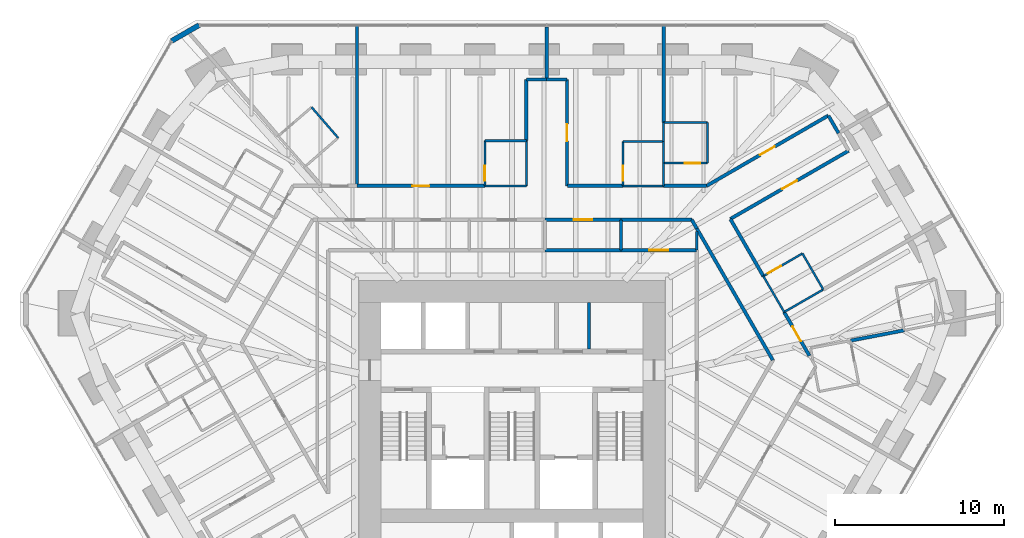
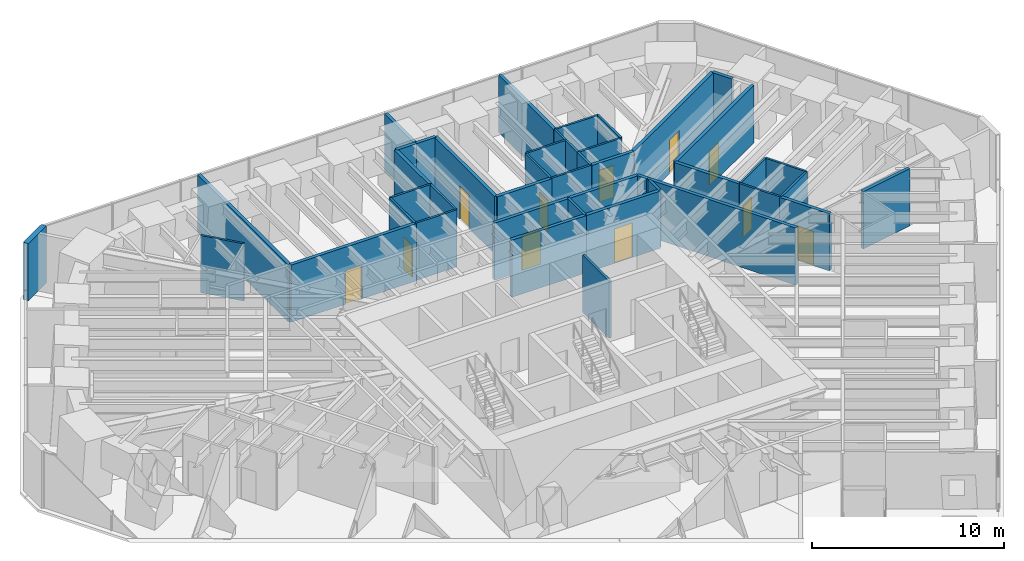
# One storey, part 15 of 17: 44 walls, 11 doors, 11 openings.
"""IFC4 building model written with IfcOpenShell, lengths in metres."""

from ifc_helpers import new_model, si_unit, direction, frame, frame_2d, origin, place, context, subcontext, project, spatial, rectangle, extrude, material, layer, layer_set, type_object, element, fill, save


model = new_model("IFC4")

# Units and contexts
model_context = context("Model", 3, precision=1e-05, world=origin(), true_north=direction((0.0, 1.0)))
body_context = subcontext(model_context, "Body", "Model", "MODEL_VIEW")
ifc_project = project(units=[si_unit("LENGTHUNIT", "METRE"), si_unit("AREAUNIT", "SQUARE_METRE"), si_unit("VOLUMEUNIT", "CUBIC_METRE"), si_unit("PLANEANGLEUNIT", "RADIAN"), si_unit("MASSUNIT", "GRAM", prefix="KILO")], contexts=[model_context])

# Site, building, storey
site_placement = place(None, origin())
site = spatial("IfcSite", under=ifc_project, at=site_placement, CompositionType="ELEMENT")
building_placement = place(site_placement, origin())
building = spatial("IfcBuilding", under=site, at=building_placement, Name="Sandreach Pilgrim Tower", CompositionType="ELEMENT")
storey_placement = place(building_placement, frame((0.0, 0.0, 165.199951171875)))
storey = spatial("IfcBuildingStorey", under=building, at=storey_placement, Name="L41", CompositionType="ELEMENT", Elevation=165.199951171875)

# Walls
ifc_material_1 = material(Name="Gypsum board on steel studs", Category="steel")
ifc_layer_1 = layer(ifc_material_1, 0.14990234375)
ifc_layer_set_1 = layer_set([ifc_layer_1], Name="Back of house wall 150")
wall_type_1 = type_object("IfcWallType", Name="Back of house wall 150", PredefinedType="PARTITIONING", material=ifc_layer_set_1)
wall_1_placement = place(storey_placement, frame((6.43994140625, 10.989990234375, 0.0), z_axis=(0.0, 0.0, 1.0), x_axis=(0.0, -1.0, 0.0)))
element("IfcWall", 1, at=wall_1_placement, inside=storey, type_object=wall_type_1, Name="Back of house wall L41-115", PredefinedType="PARTITIONING", context=body_context, shape_type="SweptSolid", body=[
    extrude(rectangle(XDim=1.7900390625, YDim=0.14990234375, at=frame_2d((0.89501953125, 0.0))), origin(), (0.0, 0.0, 1.0), 3.64013671875),
])
wall_2_placement = place(storey_placement, frame((10.919921875, 10.31005859375, 0.0), z_axis=(0.0, 0.0, 1.0), x_axis=(0.0, -1.0, 0.0)))
element("IfcWall", 2, at=wall_2_placement, inside=storey, type_object=wall_type_1, Name="Back of house wall L41-140", PredefinedType="PARTITIONING", context=body_context, shape_type="SweptSolid", body=[
    extrude(rectangle(XDim=1.110107421875, YDim=0.14990234375, at=frame_2d((0.55517578125, 0.0))), origin(), (0.0, 0.0, 1.0), 3.64013671875),
])
wall_3_placement = place(storey_placement, frame((4.550048828125, 3.35009765625, 0.0), z_axis=(0.0, 0.0, 1.0), x_axis=(0.0, 1.0, 0.0)))
element("IfcWall", 3, at=wall_3_placement, inside=storey, type_object=wall_type_1, Name="Core room partition L41 2", PredefinedType="PARTITIONING", context=body_context, shape_type="SweptSolid", body=[
    extrude(rectangle(XDim=2.75, YDim=0.14990234375, at=frame_2d((1.375, 0.0))), origin(), (0.0, 0.0, 1.0), 3.64013671875),
])
ifc_material_2 = material(Name="Moisture-resistant gypsum board on steel studs", Category="steel")
ifc_layer_2 = layer(ifc_material_2, 0.1201171875)
ifc_layer_set_2 = layer_set([ifc_layer_2], Name="Bathroom partition 120")
wall_type_2 = type_object("IfcWallType", Name="Bathroom partition 120", PredefinedType="PARTITIONING", material=ifc_layer_set_2)
wall_4_placement = place(storey_placement, frame((-10.27001953125, 15.830078125, 0.0), z_axis=(0.0, 0.0, 1.0), x_axis=(-0.655302876176, 0.755366229372, 0.0)))
element("IfcWall", 4, at=wall_4_placement, inside=storey, type_object=wall_type_2, Name="Bathroom partition L41-055", PredefinedType="PARTITIONING", context=body_context, shape_type="SweptSolid", body=[
    extrude(rectangle(XDim=2.39599609375, YDim=0.1201171875, at=frame_2d((1.197998046875, 0.0))), origin(), (0.0, 0.0, 1.0), 3.64013671875),
])

# Wall, opening, door
wall_5_placement = place(storey_placement, frame((-1.60009765625, 15.659912109375, 0.0), z_axis=(0.0, 0.0, 1.0), x_axis=(0.0, -1.0, 0.0)))
wall_5 = element("IfcWall", 5, at=wall_5_placement, inside=storey, type_object=wall_type_2, Name="Bathroom partition L41-088", PredefinedType="PARTITIONING", context=body_context, shape_type="SweptSolid", body=[
    extrude(rectangle(XDim=2.669921875, YDim=0.1201171875, at=frame_2d((1.3349609375, 0.0))), origin(), (0.0, 0.0, 1.0), 3.64013671875),
])
opening_1_placement = place(wall_5_placement, frame((1.469970703125, 0.0, 0.0)))
opening_1 = element("IfcOpeningElement", 6, at=opening_1_placement, cuts=wall_5, Name="Opening D09-02B", PredefinedType="OPENING", context=body_context, shape_type="SweptSolid", body=[
    extrude(rectangle(XDim=0.89990234375, YDim=2.030029296875, at=frame_2d((0.449951171875, 1.01513671875))), frame((0.0, 0.06005859375, 0.0), z_axis=(0.0, -1.0, 0.0), x_axis=(1.0, 0.0, 0.0)), (0.0, 0.0, 1.0), 0.1201171875),
])
ifc_material_3 = material(Name="Timber door, steel frame", Category="steel")
door_type_1 = type_object("IfcDoorType", Name="Bathroom door", OperationType="SINGLE_SWING_LEFT", PredefinedType="DOOR", material=ifc_material_3)
door_1_placement = place(opening_1_placement, origin())
door_1 = element("IfcDoor", 7, at=door_1_placement, inside=storey, type_object=door_type_1, Name="Door 4102B", OperationType="SINGLE_SWING_RIGHT", OverallHeight=2.030029296875, OverallWidth=0.89990234375, PredefinedType="DOOR", context=body_context, shape_type="SweptSolid", body=[
    extrude(rectangle(XDim=0.89990234375, YDim=2.030029296875, at=frame_2d((0.449951171875, 1.01513671875))), frame((0.0, 0.02490234375, 0.0), z_axis=(0.0, -1.0, 0.0), x_axis=(1.0, 0.0, 0.0)), (0.0, 0.0, 1.0), 0.050048828125),
])
fill(opening_1, door_1)

# Walls
for number, where, z_axis, x_axis, name in (
    (8, (0.85009765625, 12.989990234375, 0.0), (0.0, 0.0, 1.0), (-1.0, 0.0, 0.0), "Bathroom partition L41-092"),
    (9, (0.85009765625, 15.659912109375, 0.0), (0.0, 0.0, 1.0), (-1.0, 0.0, 0.0), "Bathroom partition L41-093"),
):
    element("IfcWall", number, at=place(storey_placement, frame(where, z_axis=z_axis, x_axis=x_axis)), inside=storey, type_object=wall_type_2, Name=name, PredefinedType="PARTITIONING", context=body_context, shape_type="SweptSolid", body=[
        extrude(rectangle(XDim=2.4501953125, YDim=0.1201171875, at=frame_2d((1.22509765625, 0.0))), origin(), (0.0, 0.0, 1.0), 3.64013671875),
    ])
wall_6_placement = place(storey_placement, frame((0.85009765625, 15.659912109375, 0.0), z_axis=(0.0, 0.0, 1.0), x_axis=(0.0, -1.0, 0.0)))
element("IfcWall", 10, at=wall_6_placement, inside=storey, type_object=wall_type_2, Name="Bathroom partition L41-094", PredefinedType="PARTITIONING", context=body_context, shape_type="SweptSolid", body=[
    extrude(rectangle(XDim=2.669921875, YDim=0.1201171875, at=frame_2d((1.3349609375, 0.0))), origin(), (0.0, 0.0, 1.0), 3.64013671875),
])

# Wall, opening, door
wall_7_placement = place(storey_placement, frame((6.56005859375, 15.610107421875, 0.0), z_axis=(0.0, 0.0, 1.0), x_axis=(0.0, -1.0, 0.0)))
wall_7 = element("IfcWall", 11, at=wall_7_placement, inside=storey, type_object=wall_type_2, Name="Bathroom partition L41-118", PredefinedType="PARTITIONING", context=body_context, shape_type="SweptSolid", body=[
    extrude(rectangle(XDim=2.6201171875, YDim=0.1201171875, at=frame_2d((1.31005859375, 0.0))), origin(), (0.0, 0.0, 1.0), 3.64013671875),
])
opening_2_placement = place(wall_7_placement, frame((1.419921875, 0.0, 0.0)))
opening_2 = element("IfcOpeningElement", 12, at=opening_2_placement, cuts=wall_7, Name="Opening D09-03B", PredefinedType="OPENING", context=body_context, shape_type="SweptSolid", body=[
    extrude(rectangle(XDim=0.89990234375, YDim=2.030029296875, at=frame_2d((0.449951171875, 1.01513671875))), frame((0.0, 0.06005859375, 0.0), z_axis=(0.0, -1.0, 0.0), x_axis=(1.0, 0.0, 0.0)), (0.0, 0.0, 1.0), 0.1201171875),
])
door_2_placement = place(opening_2_placement, origin())
door_2 = element("IfcDoor", 13, at=door_2_placement, inside=storey, type_object=door_type_1, Name="Door 4103B", OperationType="SINGLE_SWING_RIGHT", OverallHeight=2.030029296875, OverallWidth=0.89990234375, PredefinedType="DOOR", context=body_context, shape_type="SweptSolid", body=[
    extrude(rectangle(XDim=0.89990234375, YDim=2.030029296875, at=frame_2d((0.449951171875, 1.01513671875))), frame((0.0, 0.02490234375, 0.0), z_axis=(0.0, -1.0, 0.0), x_axis=(1.0, 0.0, 0.0)), (0.0, 0.0, 1.0), 0.050048828125),
])
fill(opening_2, door_2)

# Walls
wall_8_placement = place(storey_placement, frame((8.9599609375, 12.989990234375, 0.0), z_axis=(0.0, 0.0, 1.0), x_axis=(-1.0, 0.0, 0.0)))
element("IfcWall", 14, at=wall_8_placement, inside=storey, type_object=wall_type_2, Name="Bathroom partition L41-126", PredefinedType="PARTITIONING", context=body_context, shape_type="SweptSolid", body=[
    extrude(rectangle(XDim=2.39990234375, YDim=0.1201171875, at=frame_2d((1.199951171875, 0.0))), origin(), (0.0, 0.0, 1.0), 3.64013671875),
])
wall_9_placement = place(storey_placement, frame((8.9599609375, 14.340087890625, 0.0), z_axis=(0.0, 0.0, 1.0), x_axis=(0.0, -1.0, 0.0)))
element("IfcWall", 15, at=wall_9_placement, inside=storey, type_object=wall_type_2, Name="Bathroom partition L41-127", PredefinedType="PARTITIONING", context=body_context, shape_type="SweptSolid", body=[
    extrude(rectangle(XDim=1.35009765625, YDim=0.1201171875, at=frame_2d((0.675048828125, 0.0))), origin(), (0.0, 0.0, 1.0), 3.64013671875),
])

# Wall, opening, door
wall_10_placement = place(storey_placement, frame((8.9599609375, 14.340087890625, 0.0), z_axis=(0.0, 0.0, 1.0), x_axis=(1.0, 0.0, 0.0)))
wall_10 = element("IfcWall", 16, at=wall_10_placement, inside=storey, type_object=wall_type_2, Name="Bathroom partition L41-128", PredefinedType="PARTITIONING", context=body_context, shape_type="SweptSolid", body=[
    extrude(rectangle(XDim=2.60009765625, YDim=0.1201171875, at=frame_2d((1.300048828125, 0.0))), origin(), (0.0, 0.0, 1.0), 3.64013671875),
])
opening_3_placement = place(wall_10_placement, frame((1.25, 0.0, 0.0)))
opening_3 = element("IfcOpeningElement", 17, at=opening_3_placement, cuts=wall_10, Name="Opening D09-04B", PredefinedType="OPENING", context=body_context, shape_type="SweptSolid", body=[
    extrude(rectangle(XDim=0.89990234375, YDim=2.030029296875, at=frame_2d((0.449951171875, 1.01513671875))), frame((0.0, 0.06005859375, 0.0), z_axis=(0.0, -1.0, 0.0), x_axis=(1.0, 0.0, 0.0)), (0.0, 0.0, 1.0), 0.1201171875),
])
door_3_placement = place(opening_3_placement, origin())
door_3 = element("IfcDoor", 18, at=door_3_placement, inside=storey, type_object=door_type_1, Name="Door 4104B", OperationType="SINGLE_SWING_RIGHT", OverallHeight=2.030029296875, OverallWidth=0.89990234375, PredefinedType="DOOR", context=body_context, shape_type="SweptSolid", body=[
    extrude(rectangle(XDim=0.89990234375, YDim=2.030029296875, at=frame_2d((0.449951171875, 1.01513671875))), frame((0.0, 0.02490234375, 0.0), z_axis=(0.0, -1.0, 0.0), x_axis=(1.0, 0.0, 0.0)), (0.0, 0.0, 1.0), 0.050048828125),
])
fill(opening_3, door_3)

# Walls
wall_11_placement = place(storey_placement, frame((8.9599609375, 15.610107421875, 0.0), z_axis=(0.0, 0.0, 1.0), x_axis=(-1.0, 0.0, 0.0)))
element("IfcWall", 19, at=wall_11_placement, inside=storey, type_object=wall_type_2, Name="Bathroom partition L41-129", PredefinedType="PARTITIONING", context=body_context, shape_type="SweptSolid", body=[
    extrude(rectangle(XDim=2.39990234375, YDim=0.1201171875, at=frame_2d((1.199951171875, 0.0))), origin(), (0.0, 0.0, 1.0), 3.64013671875),
])
wall_12_placement = place(storey_placement, frame((8.9599609375, 15.610107421875, 0.0), z_axis=(0.0, 0.0, 1.0), x_axis=(0.0, -1.0, 0.0)))
element("IfcWall", 20, at=wall_12_placement, inside=storey, type_object=wall_type_2, Name="Bathroom partition L41-130", PredefinedType="PARTITIONING", context=body_context, shape_type="SweptSolid", body=[
    extrude(rectangle(XDim=1.27001953125, YDim=0.1201171875, at=frame_2d((0.635009765625, 0.0))), origin(), (0.0, 0.0, 1.0), 3.64013671875),
])
wall_13_placement = place(storey_placement, frame((8.9599609375, 16.739990234375, 0.0), z_axis=(0.0, 0.0, 1.0), x_axis=(0.0, -1.0, 0.0)))
element("IfcWall", 21, at=wall_13_placement, inside=storey, type_object=wall_type_2, Name="Bathroom partition L41-131", PredefinedType="PARTITIONING", context=body_context, shape_type="SweptSolid", body=[
    extrude(rectangle(XDim=1.1298828125, YDim=0.1201171875, at=frame_2d((0.56494140625, 0.0))), origin(), (0.0, 0.0, 1.0), 3.64013671875),
])
wall_14_placement = place(storey_placement, frame((11.56005859375, 14.340087890625, 0.0), z_axis=(0.0, 0.0, 1.0), x_axis=(0.0, 1.0, 0.0)))
element("IfcWall", 22, at=wall_14_placement, inside=storey, type_object=wall_type_2, Name="Bathroom partition L41-143", PredefinedType="PARTITIONING", context=body_context, shape_type="SweptSolid", body=[
    extrude(rectangle(XDim=2.39990234375, YDim=0.1201171875, at=frame_2d((1.199951171875, 0.0))), origin(), (0.0, 0.0, 1.0), 3.64013671875),
])
wall_15_placement = place(storey_placement, frame((11.56005859375, 16.739990234375, 0.0), z_axis=(0.0, 0.0, 1.0), x_axis=(-1.0, 0.0, 0.0)))
element("IfcWall", 23, at=wall_15_placement, inside=storey, type_object=wall_type_2, Name="Bathroom partition L41-144", PredefinedType="PARTITIONING", context=body_context, shape_type="SweptSolid", body=[
    extrude(rectangle(XDim=2.60009765625, YDim=0.1201171875, at=frame_2d((1.300048828125, 0.0))), origin(), (0.0, 0.0, 1.0), 3.64013671875),
])
wall_16_placement = place(storey_placement, frame((14.85009765625, 7.659912109375, 0.0), z_axis=(0.0, 0.0, 1.0), x_axis=(0.501856726365, -0.86495076519, 0.0)))
element("IfcWall", 24, at=wall_16_placement, inside=storey, type_object=wall_type_2, Name="Bathroom partition L41-152", PredefinedType="PARTITIONING", context=body_context, shape_type="SweptSolid", body=[
    extrude(rectangle(XDim=2.450927734375, YDim=0.1201171875, at=frame_2d((1.2255859375, 0.0))), origin(), (0.0, 0.0, 1.0), 3.64013671875),
])
wall_17_placement = place(storey_placement, frame((16.080078125, 5.5400390625, 0.0), z_axis=(0.0, 0.0, 1.0), x_axis=(0.86663205897, 0.498947767172, 0.0)))
element("IfcWall", 25, at=wall_17_placement, inside=storey, type_object=wall_type_2, Name="Bathroom partition L41-158", PredefinedType="PARTITIONING", context=body_context, shape_type="SweptSolid", body=[
    extrude(rectangle(XDim=2.665283203125, YDim=0.1201171875, at=frame_2d((1.33251953125, 0.0))), origin(), (0.0, 0.0, 1.0), 3.64013671875),
])

# Wall, opening, door
wall_18_placement = place(storey_placement, frame((17.159912109375, 9.0, 0.0), z_axis=(0.0, 0.0, 1.0), x_axis=(-0.864966903181, -0.501828911485, 0.0)))
wall_18 = element("IfcWall", 26, at=wall_18_placement, inside=storey, type_object=wall_type_2, Name="Bathroom partition L41-160", PredefinedType="PARTITIONING", context=body_context, shape_type="SweptSolid", body=[
    extrude(rectangle(XDim=2.67041015625, YDim=0.1201171875, at=frame_2d((1.335205078125, 0.0))), origin(), (0.0, 0.0, 1.0), 3.64013671875),
])
opening_4_placement = place(wall_18_placement, frame((1.470458984375, 0.0, 0.0)))
opening_4 = element("IfcOpeningElement", 27, at=opening_4_placement, cuts=wall_18, Name="Opening D09-05B", PredefinedType="OPENING", context=body_context, shape_type="SweptSolid", body=[
    extrude(rectangle(XDim=0.89990234375, YDim=2.030029296875, at=frame_2d((0.449951171875, 1.01513671875))), frame((0.0, 0.06005859375, 0.0), z_axis=(0.0, -1.0, 0.0), x_axis=(1.0, 0.0, 0.0)), (0.0, 0.0, 1.0), 0.1201171875),
])
door_4_placement = place(opening_4_placement, origin())
door_4 = element("IfcDoor", 28, at=door_4_placement, inside=storey, type_object=door_type_1, Name="Door 4105B", OperationType="SINGLE_SWING_RIGHT", OverallHeight=2.030029296875, OverallWidth=0.89990234375, PredefinedType="DOOR", context=body_context, shape_type="SweptSolid", body=[
    extrude(rectangle(XDim=0.89990234375, YDim=2.030029296875, at=frame_2d((0.449951171875, 1.01513671875))), frame((0.0, 0.02490234375, 0.0), z_axis=(0.0, -1.0, 0.0), x_axis=(1.0, 0.0, 0.0)), (0.0, 0.0, 1.0), 0.050048828125),
])
fill(opening_4, door_4)

# Wall
wall_19_placement = place(storey_placement, frame((18.389892578125, 6.8701171875, 0.0), z_axis=(0.0, 0.0, 1.0), x_axis=(-0.500089055364, 0.86597398154, 0.0)))
element("IfcWall", 29, at=wall_19_placement, inside=storey, type_object=wall_type_2, Name="Bathroom partition L41-168", PredefinedType="PARTITIONING", context=body_context, shape_type="SweptSolid", body=[
    extrude(rectangle(XDim=2.45947265625, YDim=0.1201171875, at=frame_2d((1.229736328125, 0.0))), origin(), (0.0, 0.0, 1.0), 3.64013671875),
])

# Wall, opening, door
ifc_material_4 = material(Name="Gypsum board on steel studs, two layers each side", Category="steel")
ifc_layer_3 = layer(ifc_material_4, 0.199951171875)
ifc_layer_set_3 = layer_set([ifc_layer_3], Name="Corridor wall 200")
wall_type_3 = type_object("IfcWallType", Name="Corridor wall 200", PredefinedType="PARTITIONING", material=ifc_layer_set_3)
wall_20_placement = place(storey_placement, frame((-1.60009765625, 12.989990234375, 0.0), z_axis=(0.0, 0.0, 1.0), x_axis=(-1.0, 0.0, 0.0)))
wall_20 = element("IfcWall", 30, at=wall_20_placement, inside=storey, type_object=wall_type_3, Name="Corridor wall L41-087", PredefinedType="PARTITIONING", context=body_context, shape_type="SweptSolid", body=[
    extrude(rectangle(XDim=7.559814453125, YDim=0.199951171875, at=frame_2d((3.77978515625, 0.0))), origin(), (0.0, 0.0, 1.0), 3.64013671875),
])
opening_5_placement = place(wall_20_placement, frame((3.280029296875, 0.0, 0.0)))
opening_5 = element("IfcOpeningElement", 31, at=opening_5_placement, cuts=wall_20, Name="Opening D10-02", PredefinedType="OPENING", context=body_context, shape_type="SweptSolid", body=[
    extrude(rectangle(XDim=1.0, YDim=2.1298828125, at=frame_2d((0.5, 1.06494140625))), frame((0.0, 0.10009765625, 0.0), z_axis=(0.0, -1.0, 0.0), x_axis=(1.0, 0.0, 0.0)), (0.0, 0.0, 1.0), 0.199951171875),
])
ifc_material_5 = material(Name="Steel door and frame", Category="steel")
door_type_2 = type_object("IfcDoorType", Name="Guest room entry door", OperationType="SINGLE_SWING_LEFT", PredefinedType="DOOR", material=ifc_material_5)
door_5_placement = place(opening_5_placement, origin())
door_5 = element("IfcDoor", 32, at=door_5_placement, inside=storey, type_object=door_type_2, Name="Door 4102", OperationType="SINGLE_SWING_LEFT", OverallHeight=2.1298828125, OverallWidth=1.0, PredefinedType="DOOR", context=body_context, shape_type="SweptSolid", body=[
    extrude(rectangle(XDim=1.0, YDim=2.1298828125, at=frame_2d((0.5, 1.06494140625))), frame((0.0, 0.02490234375, 0.0), z_axis=(0.0, -1.0, 0.0), x_axis=(1.0, 0.0, 0.0)), (0.0, 0.0, 1.0), 0.050048828125),
])
fill(opening_5, door_5)

# Wall
wall_21_placement = place(storey_placement, frame((0.85009765625, 19.280029296875, 0.0), z_axis=(0.0, 0.0, 1.0), x_axis=(0.0, -1.0, 0.0)))
element("IfcWall", 33, at=wall_21_placement, inside=storey, type_object=wall_type_3, Name="Corridor wall L41-095", PredefinedType="PARTITIONING", context=body_context, shape_type="SweptSolid", body=[
    extrude(rectangle(XDim=3.6201171875, YDim=0.199951171875, at=frame_2d((1.81005859375, 0.0))), origin(), (0.0, 0.0, 1.0), 3.64013671875),
])

# Wall, opening, door
wall_22_placement = place(storey_placement, frame((1.949951171875, 10.989990234375, 0.0), z_axis=(0.0, 0.0, 1.0), x_axis=(1.0, 0.0, 0.0)))
wall_22 = element("IfcWall", 34, at=wall_22_placement, inside=storey, type_object=wall_type_3, Name="Corridor wall L41-100", PredefinedType="PARTITIONING", context=body_context, shape_type="SweptSolid", body=[
    extrude(rectangle(XDim=4.489990234375, YDim=0.199951171875, at=frame_2d((2.2451171875, 0.0))), origin(), (0.0, 0.0, 1.0), 3.64013671875),
])
opening_6_placement = place(wall_22_placement, frame((1.695068359375, 0.0, 0.0)))
opening_6 = element("IfcOpeningElement", 35, at=opening_6_placement, cuts=wall_22, Name="Opening D11H-M05", PredefinedType="OPENING", context=body_context, shape_type="SweptSolid", body=[
    extrude(rectangle(XDim=1.10009765625, YDim=2.199951171875, at=frame_2d((0.550048828125, 1.10009765625))), frame((0.0, 0.10009765625, 0.0), z_axis=(0.0, -1.0, 0.0), x_axis=(1.0, 0.0, 0.0)), (0.0, 0.0, 1.0), 0.199951171875),
])
ifc_material_6 = material(Name="Steel door and frame", Category="steel")
door_type_3 = type_object("IfcDoorType", Name="Back of house door", OperationType="SINGLE_SWING_LEFT", PredefinedType="DOOR", material=ifc_material_6)
door_6_placement = place(opening_6_placement, origin())
door_6 = element("IfcDoor", 36, at=door_6_placement, inside=storey, type_object=door_type_3, Name="Door 41M05", OperationType="SINGLE_SWING_LEFT", OverallHeight=2.199951171875, OverallWidth=1.10009765625, PredefinedType="DOOR", context=body_context, shape_type="SweptSolid", body=[
    extrude(rectangle(XDim=1.10009765625, YDim=2.199951171875, at=frame_2d((0.550048828125, 1.10009765625))), frame((0.0, 0.02490234375, 0.0), z_axis=(0.0, -1.0, 0.0), x_axis=(1.0, 0.0, 0.0)), (0.0, 0.0, 1.0), 0.050048828125),
])
fill(opening_6, door_6)

# Walls
for number, where, z_axis, x_axis, name in (
    (37, (2.050048828125, 19.280029296875, 0.0), (0.0, 0.0, 1.0), (-1.0, 0.0, 0.0), "Corridor wall L41-101"),
    (38, (3.235107421875, 19.280029296875, 0.0), (0.0, 0.0, 1.0), (-1.0, 0.0, 0.0), "Corridor wall L41-105"),
):
    element("IfcWall", number, at=place(storey_placement, frame(where, z_axis=z_axis, x_axis=x_axis)), inside=storey, type_object=wall_type_3, Name=name, PredefinedType="PARTITIONING", context=body_context, shape_type="SweptSolid", body=[
        extrude(rectangle(XDim=1.18505859375, YDim=0.199951171875, at=frame_2d((0.592529296875, 0.0))), origin(), (0.0, 0.0, 1.0), 3.64013671875),
    ])

# Wall, opening, door
wall_23_placement = place(storey_placement, frame((3.25, 12.989990234375, 0.0), z_axis=(0.0, 0.0, 1.0), x_axis=(0.0, 1.0, 0.0)))
wall_23 = element("IfcWall", 39, at=wall_23_placement, inside=storey, type_object=wall_type_3, Name="Corridor wall L41-106", PredefinedType="PARTITIONING", context=body_context, shape_type="SweptSolid", body=[
    extrude(rectangle(XDim=6.2900390625, YDim=0.199951171875, at=frame_2d((3.14501953125, 0.0))), origin(), (0.0, 0.0, 1.0), 3.64013671875),
])
opening_7_placement = place(wall_23_placement, frame((2.64501953125, 0.0, 0.0)))
opening_7 = element("IfcOpeningElement", 40, at=opening_7_placement, cuts=wall_23, Name="Opening D10-03", PredefinedType="OPENING", context=body_context, shape_type="SweptSolid", body=[
    extrude(rectangle(XDim=1.0, YDim=2.1298828125, at=frame_2d((0.5, 1.06494140625))), frame((0.0, 0.10009765625, 0.0), z_axis=(0.0, -1.0, 0.0), x_axis=(1.0, 0.0, 0.0)), (0.0, 0.0, 1.0), 0.199951171875),
])
door_7_placement = place(opening_7_placement, origin())
door_7 = element("IfcDoor", 41, at=door_7_placement, inside=storey, type_object=door_type_2, Name="Door 4103", OperationType="SINGLE_SWING_LEFT", OverallHeight=2.1298828125, OverallWidth=1.0, PredefinedType="DOOR", context=body_context, shape_type="SweptSolid", body=[
    extrude(rectangle(XDim=1.0, YDim=2.1298828125, at=frame_2d((0.5, 1.06494140625))), frame((0.0, 0.02490234375, 0.0), z_axis=(0.0, -1.0, 0.0), x_axis=(1.0, 0.0, 0.0)), (0.0, 0.0, 1.0), 0.050048828125),
])
fill(opening_7, door_7)

# Walls
wall_24_placement = place(storey_placement, frame((6.43994140625, 9.199951171875, 0.0), z_axis=(0.0, 0.0, 1.0), x_axis=(-1.0, 0.0, 0.0)))
element("IfcWall", 42, at=wall_24_placement, inside=storey, type_object=wall_type_3, Name="Corridor wall L41-114", PredefinedType="PARTITIONING", context=body_context, shape_type="SweptSolid", body=[
    extrude(rectangle(XDim=4.489990234375, YDim=0.199951171875, at=frame_2d((2.2451171875, 0.0))), origin(), (0.0, 0.0, 1.0), 3.64013671875),
])
wall_25_placement = place(storey_placement, frame((6.43994140625, 10.989990234375, 0.0), z_axis=(0.0, 0.0, 1.0), x_axis=(1.0, 0.0, 0.0)))
element("IfcWall", 43, at=wall_25_placement, inside=storey, type_object=wall_type_3, Name="Corridor wall L41-116", PredefinedType="PARTITIONING", context=body_context, shape_type="SweptSolid", body=[
    extrude(rectangle(XDim=4.18017578125, YDim=0.199951171875, at=frame_2d((2.090087890625, 0.0))), origin(), (0.0, 0.0, 1.0), 3.64013671875),
])
wall_26_placement = place(storey_placement, frame((6.56005859375, 12.989990234375, 0.0), z_axis=(0.0, 0.0, 1.0), x_axis=(-1.0, 0.0, 0.0)))
element("IfcWall", 44, at=wall_26_placement, inside=storey, type_object=wall_type_3, Name="Corridor wall L41-117", PredefinedType="PARTITIONING", context=body_context, shape_type="SweptSolid", body=[
    extrude(rectangle(XDim=3.295166015625, YDim=0.199951171875, at=frame_2d((1.6474609375, 0.0))), origin(), (0.0, 0.0, 1.0), 3.64013671875),
])
wall_27_placement = place(storey_placement, frame((10.6201171875, 10.989990234375, 0.0), z_axis=(0.0, 0.0, 1.0), x_axis=(0.499464218792, -0.866334516308, 0.0)))
element("IfcWall", 45, at=wall_27_placement, inside=storey, type_object=wall_type_3, Name="Corridor wall L41-136", PredefinedType="PARTITIONING", context=body_context, shape_type="SweptSolid", body=[
    extrude(rectangle(XDim=0.600341796875, YDim=0.199951171875, at=frame_2d((0.30029296875, 0.0))), origin(), (0.0, 0.0, 1.0), 3.64013671875),
])

# Wall, opening, door
wall_28_placement = place(storey_placement, frame((10.905029296875, 9.199951171875, 0.0), z_axis=(0.0, 0.0, 1.0), x_axis=(-1.0, 0.0, 0.0)))
wall_28 = element("IfcWall", 46, at=wall_28_placement, inside=storey, type_object=wall_type_3, Name="Corridor wall L41-138", PredefinedType="PARTITIONING", context=body_context, shape_type="SweptSolid", body=[
    extrude(rectangle(XDim=4.465087890625, YDim=0.199951171875, at=frame_2d((2.232421875, 0.0))), origin(), (0.0, 0.0, 1.0), 3.64013671875),
])
opening_8_placement = place(wall_28_placement, frame((1.6826171875, 0.0, 0.0)))
opening_8 = element("IfcOpeningElement", 47, at=opening_8_placement, cuts=wall_28, Name="Opening D11H-M06", PredefinedType="OPENING", context=body_context, shape_type="SweptSolid", body=[
    extrude(rectangle(XDim=1.10009765625, YDim=2.199951171875, at=frame_2d((0.550048828125, 1.10009765625))), frame((0.0, 0.10009765625, 0.0), z_axis=(0.0, -1.0, 0.0), x_axis=(1.0, 0.0, 0.0)), (0.0, 0.0, 1.0), 0.199951171875),
])
door_8_placement = place(opening_8_placement, origin())
door_8 = element("IfcDoor", 48, at=door_8_placement, inside=storey, type_object=door_type_3, Name="Door 41M06", OperationType="SINGLE_SWING_LEFT", OverallHeight=2.199951171875, OverallWidth=1.10009765625, PredefinedType="DOOR", context=body_context, shape_type="SweptSolid", body=[
    extrude(rectangle(XDim=1.10009765625, YDim=2.199951171875, at=frame_2d((0.550048828125, 1.10009765625))), frame((0.0, 0.02490234375, 0.0), z_axis=(0.0, -1.0, 0.0), x_axis=(1.0, 0.0, 0.0)), (0.0, 0.0, 1.0), 0.050048828125),
])
fill(opening_8, door_8)

# Walls
wall_29_placement = place(storey_placement, frame((10.919921875, 10.469970703125, 0.0), z_axis=(0.0, 0.0, 1.0), x_axis=(0.500331533983, -0.865833907919, 0.0)))
element("IfcWall", 49, at=wall_29_placement, inside=storey, type_object=wall_type_3, Name="Corridor wall L41-141", PredefinedType="PARTITIONING", context=body_context, shape_type="SweptSolid", body=[
    extrude(rectangle(XDim=8.97412109375, YDim=0.199951171875, at=frame_2d((4.487060546875, 0.0))), origin(), (0.0, 0.0, 1.0), 3.64013671875),
])
wall_30_placement = place(storey_placement, frame((11.489990234375, 12.989990234375, 0.0), z_axis=(0.0, 0.0, 1.0), x_axis=(-1.0, 0.0, 0.0)))
element("IfcWall", 50, at=wall_30_placement, inside=storey, type_object=wall_type_3, Name="Corridor wall L41-142", PredefinedType="PARTITIONING", context=body_context, shape_type="SweptSolid", body=[
    extrude(rectangle(XDim=2.530029296875, YDim=0.199951171875, at=frame_2d((1.26513671875, 0.0))), origin(), (0.0, 0.0, 1.0), 3.64013671875),
])

# Wall, opening, door
wall_31_placement = place(storey_placement, frame((12.89990234375, 11.0400390625, 0.0), z_axis=(0.0, 0.0, 1.0), x_axis=(0.866328111165, 0.499475328525, 0.0)))
wall_31 = element("IfcWall", 51, at=wall_31_placement, inside=storey, type_object=wall_type_3, Name="Corridor wall L41-146", PredefinedType="PARTITIONING", context=body_context, shape_type="SweptSolid", body=[
    extrude(rectangle(XDim=8.068603515625, YDim=0.199951171875, at=frame_2d((4.0341796875, 0.0))), origin(), (0.0, 0.0, 1.0), 3.64013671875),
])
opening_9_placement = place(wall_31_placement, frame((3.5341796875, 0.0, 0.0)))
opening_9 = element("IfcOpeningElement", 52, at=opening_9_placement, cuts=wall_31, Name="Opening D10-05", PredefinedType="OPENING", context=body_context, shape_type="SweptSolid", body=[
    extrude(rectangle(XDim=1.0, YDim=2.1298828125, at=frame_2d((0.5, 1.06494140625))), frame((0.0, 0.10009765625, 0.0), z_axis=(0.0, -1.0, 0.0), x_axis=(1.0, 0.0, 0.0)), (0.0, 0.0, 1.0), 0.199951171875),
])
door_9_placement = place(opening_9_placement, origin())
door_9 = element("IfcDoor", 53, at=door_9_placement, inside=storey, type_object=door_type_2, Name="Door 4105", OperationType="SINGLE_SWING_LEFT", OverallHeight=2.1298828125, OverallWidth=1.0, PredefinedType="DOOR", context=body_context, shape_type="SweptSolid", body=[
    extrude(rectangle(XDim=1.0, YDim=2.1298828125, at=frame_2d((0.5, 1.06494140625))), frame((0.0, 0.02490234375, 0.0), z_axis=(0.0, -1.0, 0.0), x_axis=(1.0, 0.0, 0.0)), (0.0, 0.0, 1.0), 0.050048828125),
])
fill(opening_9, door_9)

# Wall
wall_32_placement = place(storey_placement, frame((12.907470703125, 11.027099609375, 0.0), z_axis=(0.0, 0.0, 1.0), x_axis=(0.499726078095, -0.86618349492, 0.0)))
element("IfcWall", 54, at=wall_32_placement, inside=storey, type_object=wall_type_3, Name="Corridor wall L41-147", PredefinedType="PARTITIONING", context=body_context, shape_type="SweptSolid", body=[
    extrude(rectangle(XDim=3.887451171875, YDim=0.199951171875, at=frame_2d((1.94384765625, 0.0))), origin(), (0.0, 0.0, 1.0), 3.64013671875),
])

# Wall, opening, door
wall_33_placement = place(storey_placement, frame((16.078125, 5.538818359375, 0.0), z_axis=(0.0, 0.0, 1.0), x_axis=(0.500694494545, -0.865624065708, 0.0)))
wall_33 = element("IfcWall", 55, at=wall_33_placement, inside=storey, type_object=wall_type_3, Name="Corridor wall L41-157", PredefinedType="PARTITIONING", context=body_context, shape_type="SweptSolid", body=[
    extrude(rectangle(XDim=2.985107421875, YDim=0.199951171875, at=frame_2d((1.49267578125, 0.0))), origin(), (0.0, 0.0, 1.0), 3.64013671875),
])
opening_10_placement = place(wall_33_placement, frame((0.99267578125, 0.0, 0.0)))
opening_10 = element("IfcOpeningElement", 56, at=opening_10_placement, cuts=wall_33, Name="Opening D10-06", PredefinedType="OPENING", context=body_context, shape_type="SweptSolid", body=[
    extrude(rectangle(XDim=1.0, YDim=2.1298828125, at=frame_2d((0.5, 1.06494140625))), frame((0.0, 0.10009765625, 0.0), z_axis=(0.0, -1.0, 0.0), x_axis=(1.0, 0.0, 0.0)), (0.0, 0.0, 1.0), 0.199951171875),
])
door_10_placement = place(opening_10_placement, origin())
door_10 = element("IfcDoor", 57, at=door_10_placement, inside=storey, type_object=door_type_2, Name="Door 4106", OperationType="SINGLE_SWING_LEFT", OverallHeight=2.1298828125, OverallWidth=1.0, PredefinedType="DOOR", context=body_context, shape_type="SweptSolid", body=[
    extrude(rectangle(XDim=1.0, YDim=2.1298828125, at=frame_2d((0.5, 1.06494140625))), frame((0.0, 0.02490234375, 0.0), z_axis=(0.0, -1.0, 0.0), x_axis=(1.0, 0.0, 0.0)), (0.0, 0.0, 1.0), 0.050048828125),
])
fill(opening_10, door_10)

wall_34_placement = place(storey_placement, frame((18.68994140625, 17.14990234375, 0.0), z_axis=(0.0, 0.0, 1.0), x_axis=(-0.865868182106, -0.500272217114, 0.0)))
wall_34 = element("IfcWall", 58, at=wall_34_placement, inside=storey, type_object=wall_type_3, Name="Corridor wall L41-170", PredefinedType="PARTITIONING", context=body_context, shape_type="SweptSolid", body=[
    extrude(rectangle(XDim=8.315185546875, YDim=0.199951171875, at=frame_2d((4.15771484375, 0.0))), origin(), (0.0, 0.0, 1.0), 3.64013671875),
])
opening_11_placement = place(wall_34_placement, frame((3.65771484375, 0.0, 0.0)))
opening_11 = element("IfcOpeningElement", 59, at=opening_11_placement, cuts=wall_34, Name="Opening D10-04", PredefinedType="OPENING", context=body_context, shape_type="SweptSolid", body=[
    extrude(rectangle(XDim=1.0, YDim=2.1298828125, at=frame_2d((0.5, 1.06494140625))), frame((0.0, 0.10009765625, 0.0), z_axis=(0.0, -1.0, 0.0), x_axis=(1.0, 0.0, 0.0)), (0.0, 0.0, 1.0), 0.199951171875),
])
door_11_placement = place(opening_11_placement, origin())
door_11 = element("IfcDoor", 60, at=door_11_placement, inside=storey, type_object=door_type_2, Name="Door 4104", OperationType="SINGLE_SWING_LEFT", OverallHeight=2.1298828125, OverallWidth=1.0, PredefinedType="DOOR", context=body_context, shape_type="SweptSolid", body=[
    extrude(rectangle(XDim=1.0, YDim=2.1298828125, at=frame_2d((0.5, 1.06494140625))), frame((0.0, 0.02490234375, 0.0), z_axis=(0.0, -1.0, 0.0), x_axis=(1.0, 0.0, 0.0)), (0.0, 0.0, 1.0), 0.050048828125),
])
fill(opening_11, door_11)

# Walls
wall_35_placement = place(storey_placement, frame((19.2900390625, 16.110107421875, 0.0), z_axis=(0.0, 0.0, 1.0), x_axis=(-0.499793761865, 0.866144442689, 0.0)))
element("IfcWall", 61, at=wall_35_placement, inside=storey, type_object=wall_type_3, Name="Corridor wall L41-171", PredefinedType="PARTITIONING", context=body_context, shape_type="SweptSolid", body=[
    extrude(rectangle(XDim=1.185546875, YDim=0.199951171875, at=frame_2d((0.5927734375, 0.0))), origin(), (0.0, 0.0, 1.0), 3.64013671875),
])
ifc_material_7 = material(Name="Double steel stud acoustic wall, gypsum board", Category="steel")
ifc_layer_4 = layer(ifc_material_7, 0.199951171875)
ifc_layer_set_4 = layer_set([ifc_layer_4], Name="Party wall 200")
wall_type_4 = type_object("IfcWallType", Name="Party wall 200", PredefinedType="PARTITIONING", material=ifc_layer_set_4)
wall_36_placement = place(storey_placement, frame((-9.159912109375, 22.4599609375, 0.0), z_axis=(0.0, 0.0, 1.0), x_axis=(0.0, -1.0, 0.0)))
element("IfcWall", 62, at=wall_36_placement, inside=storey, type_object=wall_type_4, Name="Party wall L41-059", PredefinedType="PARTITIONING", context=body_context, shape_type="SweptSolid", body=[
    extrude(rectangle(XDim=9.455078125, YDim=0.199951171875, at=frame_2d((4.7275390625, 0.0))), origin(), (0.0, 0.0, 1.0), 3.64013671875),
])
wall_37_placement = place(storey_placement, frame((2.050048828125, 22.3701171875, 0.0), z_axis=(0.0, 0.0, 1.0), x_axis=(0.0, -1.0, 0.0)))
element("IfcWall", 63, at=wall_37_placement, inside=storey, type_object=wall_type_4, Name="Party wall L41-102", PredefinedType="PARTITIONING", context=body_context, shape_type="SweptSolid", body=[
    extrude(rectangle(XDim=3.0751953125, YDim=0.199951171875, at=frame_2d((1.53759765625, 0.0))), origin(), (0.0, 0.0, 1.0), 3.64013671875),
])
wall_38_placement = place(storey_placement, frame((8.9599609375, 22.4599609375, 0.0), z_axis=(0.0, 0.0, 1.0), x_axis=(0.0, -1.0, 0.0)))
element("IfcWall", 64, at=wall_38_placement, inside=storey, type_object=wall_type_4, Name="Party wall L41-132", PredefinedType="PARTITIONING", context=body_context, shape_type="SweptSolid", body=[
    extrude(rectangle(XDim=5.719970703125, YDim=0.199951171875, at=frame_2d((2.85986328125, 0.0))), origin(), (0.0, 0.0, 1.0), 3.64013671875),
])
wall_39_placement = place(storey_placement, frame((20.0, 3.85009765625, 0.0), z_axis=(0.0, 0.0, 1.0), x_axis=(0.981991339242, 0.188925936955, 0.0)))
element("IfcWall", 65, at=wall_39_placement, inside=storey, type_object=wall_type_4, Name="Party wall L41-173", PredefinedType="PARTITIONING", context=body_context, shape_type="SweptSolid", body=[
    extrude(rectangle(XDim=3.22802734375, YDim=0.199951171875, at=frame_2d((1.614013671875, 0.0))), origin(), (0.0, 0.0, 1.0), 3.64013671875),
])
ifc_material_8 = material(Name="Terracotta rainscreen on concrete", Category="masonry")
ifc_layer_5 = layer(ifc_material_8, 0.300048828125)
ifc_layer_set_5 = layer_set([ifc_layer_5], Name="Terracotta chamfer pier")
wall_type_5 = type_object("IfcWallType", Name="Terracotta chamfer pier", PredefinedType="SOLIDWALL", material=ifc_layer_set_5)
wall_40_placement = place(storey_placement, frame((-20.109619140625, 21.5537109375, 0.0), z_axis=(0.0, 0.0, 1.0), x_axis=(0.865988793993, 0.500063404658, 0.0)))
element("IfcWall", 66, at=wall_40_placement, inside=storey, type_object=wall_type_5, Name="Chamfer pier L41 NW", PredefinedType="SOLIDWALL", context=body_context, shape_type="SweptSolid", body=[
    extrude(rectangle(XDim=1.880126953125, YDim=0.300048828125, at=frame_2d((0.93994140625, 0.0))), origin(), (0.0, 0.0, 1.0), 3.64013671875),
])

save(model, "model.ifc")
